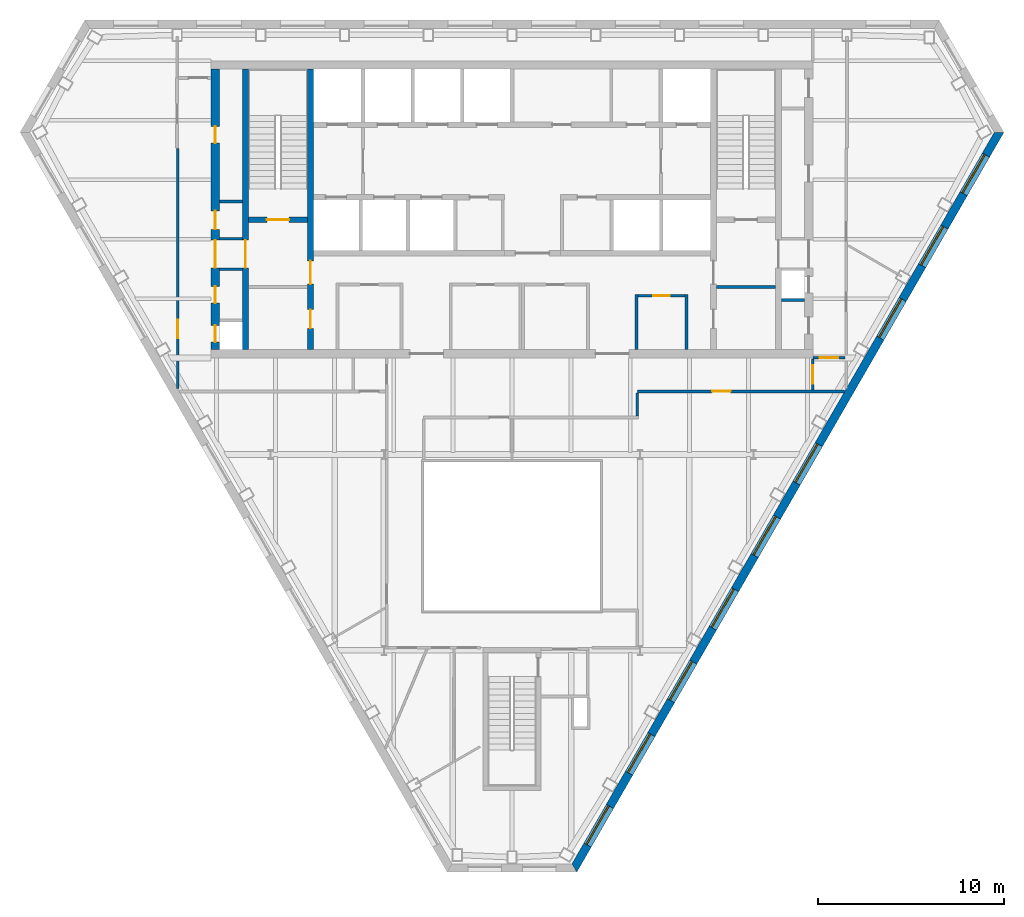
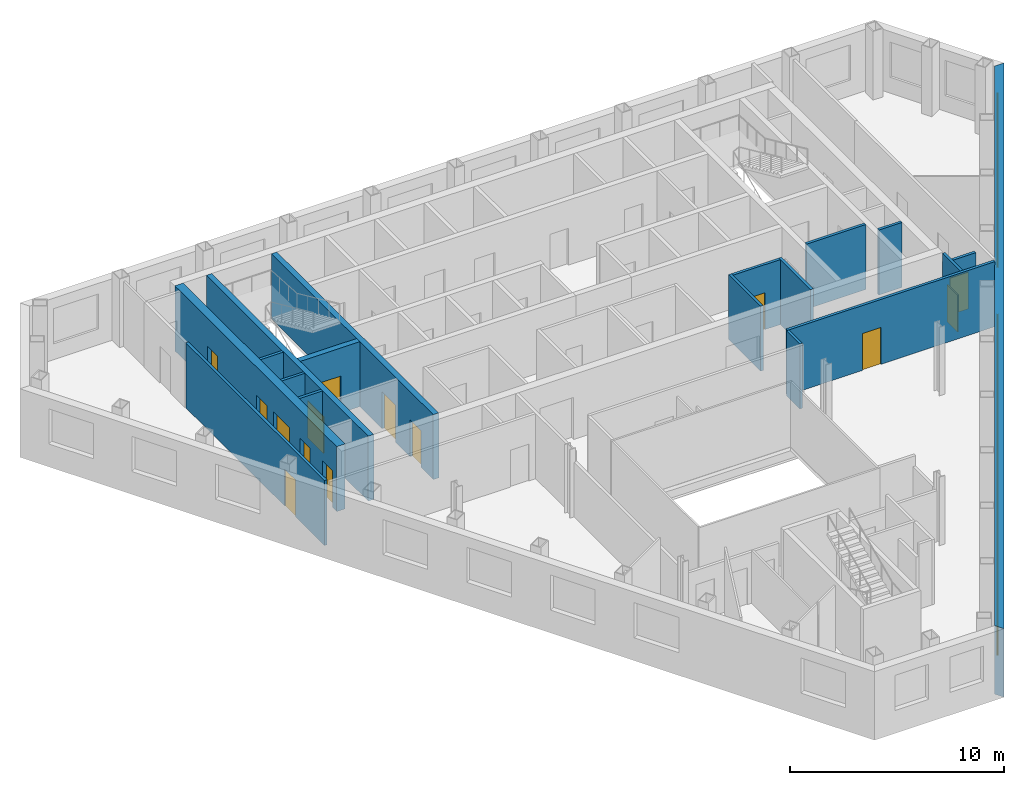
# One storey, part 5 of 11: 18 walls, 14 doors, 9 windows, 23 openings.
"""IFC4 building model written with IfcOpenShell, lengths in metres."""

from ifc_helpers import new_model, si_unit, direction, frame, frame_2d, origin, place, context, subcontext, project, spatial, polyline, rectangle, outline, extrude, material, layer, layer_set, type_object, element, fill, save


model = new_model("IFC4")

# Units and contexts
model_context = context("Model", 3, precision=1e-05, world=origin(), true_north=direction((0.0, 1.0)))
body_context = subcontext(model_context, "Body", "Model", "MODEL_VIEW")
ifc_project = project(units=[si_unit("LENGTHUNIT", "METRE"), si_unit("AREAUNIT", "SQUARE_METRE"), si_unit("VOLUMEUNIT", "CUBIC_METRE"), si_unit("PLANEANGLEUNIT", "RADIAN"), si_unit("MASSUNIT", "GRAM", prefix="KILO")], contexts=[model_context])

# Site, building, storey
site_placement = place(None, origin())
site = spatial("IfcSite", under=ifc_project, at=site_placement, CompositionType="ELEMENT")
building_placement = place(site_placement, origin())
building = spatial("IfcBuilding", under=site, at=building_placement, Name="Njiva Tower", CompositionType="ELEMENT")
storey_placement = place(building_placement, frame((0.0, 0.0, 219.9)))
storey = spatial("IfcBuildingStorey", under=building, at=storey_placement, Name="L49", CompositionType="ELEMENT", Elevation=219.9)

# Walls
ifc_material_1 = material(Name="Blockwork", Category="masonry")
ifc_layer_1 = layer(ifc_material_1, 0.15)
ifc_layer_set_1 = layer_set([ifc_layer_1], Name="Blockwork")
wall_type_1 = type_object("IfcWallType", Name="WT1 Compartment partition 150", PredefinedType="PARTITIONING", material=ifc_layer_set_1)
wall_1_placement = place(storey_placement, frame((11.0, 5.825, 0.0), z_axis=(0.0, 0.0, 1.0), x_axis=(1.0, 0.0, 0.0)))
element("IfcWall", 1, at=wall_1_placement, inside=storey, type_object=wall_type_1, Name="Room wall B", PredefinedType="PARTITIONING", context=body_context, shape_type="SweptSolid", body=[
    extrude(rectangle(XDim=3.2, YDim=0.15, at=frame_2d((1.6, 0.0))), origin(), (0.0, 0.0, 1.0), 3.7),
])
wall_2_placement = place(storey_placement, frame((-15.75, 10.4244, 0.0), z_axis=(0.0, 0.0, 1.0), x_axis=(1.0, 0.0, 0.0)))
element("IfcWall", 2, at=wall_2_placement, inside=storey, type_object=wall_type_1, Name="Partition strip W10", PredefinedType="PARTITIONING", context=body_context, shape_type="SweptSolid", body=[
    extrude(rectangle(XDim=1.25, YDim=0.15, at=frame_2d((0.625, 0.0))), origin(), (0.0, 0.0, 1.0), 3.7),
])
for number, where, z_axis, x_axis, name in (
    (3, (6.7, 2.45, 0.0), (0.0, 0.0, 1.0), (0.0, 1.0, 0.0), "Security office wall west"),
    (4, (9.4, 2.45, 0.0), (0.0, 0.0, 1.0), (0.0, 1.0, 0.0), "Security office wall east"),
):
    element("IfcWall", number, at=place(storey_placement, frame(where, z_axis=z_axis, x_axis=x_axis)), inside=storey, type_object=wall_type_1, Name=name, PredefinedType="PARTITIONING", context=body_context, shape_type="SweptSolid", body=[
        extrude(rectangle(XDim=2.975, YDim=0.15, at=frame_2d((1.4875, 0.0))), origin(), (0.0, 0.0, 1.0), 3.7),
    ])

# Wall, opening, door
wall_3_placement = place(storey_placement, frame((6.775, 5.35, 0.0), z_axis=(0.0, 0.0, 1.0), x_axis=(1.0, 0.0, 0.0)))
wall_3 = element("IfcWall", 5, at=wall_3_placement, inside=storey, type_object=wall_type_1, Name="Security office wall north", PredefinedType="PARTITIONING", context=body_context, shape_type="SweptSolid", body=[
    extrude(rectangle(XDim=2.55, YDim=0.15, at=frame_2d((1.275, 0.0))), origin(), (0.0, 0.0, 1.0), 3.7),
])
opening_1_placement = place(wall_3_placement, frame((0.825, 0.0, 0.0)))
opening_1 = element("IfcOpeningElement", 6, at=opening_1_placement, cuts=wall_3, Name="Opening S16-D936", PredefinedType="OPENING", context=body_context, shape_type="SweptSolid", body=[
    extrude(rectangle(XDim=0.9, YDim=2.1, at=frame_2d((0.45, 1.05))), frame((0.0, 0.085, 0.0), z_axis=(0.0, -1.0, 0.0), x_axis=(1.0, 0.0, 0.0)), (0.0, 0.0, 1.0), 0.17),
])
ifc_material_2 = material(Name="Steel fire door, painted", Category="steel")
door_type_1 = type_object("IfcDoorType", Name="D6 Fire-rated door 900x2100", OperationType="SINGLE_SWING_LEFT", PredefinedType="DOOR", material=ifc_material_2)
door_1_placement = place(opening_1_placement, origin())
door_1 = element("IfcDoor", 7, at=door_1_placement, inside=storey, type_object=door_type_1, Name="Security office door", OperationType="SINGLE_SWING_RIGHT", OverallHeight=2.1, OverallWidth=0.9, PredefinedType="DOOR", context=body_context, shape_type="SweptSolid", body=[
    extrude(rectangle(XDim=0.9, YDim=2.1, at=frame_2d((0.45, 1.05))), frame((0.0, 0.025, 0.0), z_axis=(0.0, -1.0, 0.0), x_axis=(1.0, 0.0, 0.0)), (0.0, 0.0, 1.0), 0.05),
])
fill(opening_1, door_1)

# Wall, openings, doors
ifc_material_3 = material(Name="Concrete C40/50", Category="concrete")
ifc_layer_2 = layer(ifc_material_3, 0.3)
ifc_layer_set_2 = layer_set([ifc_layer_2], Name="Concrete C40/50")
wall_type_2 = type_object("IfcWallType", Name="WT10 Stair enclosure wall 300", PredefinedType="SHEAR", material=ifc_layer_set_2)
wall_4_placement = place(storey_placement, frame((-10.85, 2.45, 0.0), z_axis=(0.0, 0.0, 1.0), x_axis=(0.0, 1.0, 0.0)))
wall_4 = element("IfcWall", 8, at=wall_4_placement, inside=storey, type_object=wall_type_2, Name="Stair wall west inner", PredefinedType="SHEAR", context=body_context, shape_type="SweptSolid", body=[
    extrude(rectangle(XDim=15.1, YDim=0.3, at=frame_2d((7.55, 0.0))), origin(), (0.0, 0.0, 1.0), 3.7),
])
opening_2_placement = place(wall_4_placement, frame((3.525, 0.0, 0.0)))
opening_2 = element("IfcOpeningElement", 9, at=opening_2_placement, cuts=wall_4, Name="Opening S16-D915", PredefinedType="OPENING", context=body_context, shape_type="SweptSolid", body=[
    extrude(rectangle(XDim=1.25, YDim=2.1, at=frame_2d((0.625, 1.05))), frame((0.0, 0.16, 0.0), z_axis=(0.0, -1.0, 0.0), x_axis=(1.0, 0.0, 0.0)), (0.0, 0.0, 1.0), 0.32),
])
opening_3_placement = place(wall_4_placement, frame((1.15, 0.0, 0.0)))
opening_3 = element("IfcOpeningElement", 10, at=opening_3_placement, cuts=wall_4, Name="Opening S16-D916", PredefinedType="OPENING", context=body_context, shape_type="SweptSolid", body=[
    extrude(rectangle(XDim=1.0, YDim=2.1, at=frame_2d((0.5, 1.05))), frame((0.0, 0.16, 0.0), z_axis=(0.0, -1.0, 0.0), x_axis=(1.0, 0.0, 0.0)), (0.0, 0.0, 1.0), 0.32),
])
ifc_material_4 = material(Name="Steel door, painted", Category="steel")
door_type_2 = type_object("IfcDoorType", Name="D5 Steel door 1000x2100", OperationType="SINGLE_SWING_LEFT", PredefinedType="DOOR", material=ifc_material_4)
door_2_placement = place(opening_3_placement, origin())
door_2 = element("IfcDoor", 11, at=door_2_placement, inside=storey, type_object=door_type_2, Name="First aid room door", OperationType="SINGLE_SWING_RIGHT", OverallHeight=2.1, OverallWidth=1.0, PredefinedType="DOOR", context=body_context, shape_type="SweptSolid", body=[
    extrude(rectangle(XDim=1.0, YDim=2.1, at=frame_2d((0.5, 1.05))), frame((0.0, 0.025, 0.0), z_axis=(0.0, -1.0, 0.0), x_axis=(1.0, 0.0, 0.0)), (0.0, 0.0, 1.0), 0.05),
])
fill(opening_3, door_2)
ifc_material_5 = material(Name="Glazed steel fire door", Category="steel")
door_type_3 = type_object("IfcDoorType", Name="D8 Vestibule corridor door 1250x2100 glazed", OperationType="SINGLE_SWING_LEFT", PredefinedType="DOOR", material=ifc_material_5)
door_3_placement = place(opening_2_placement, origin())
door_3 = element("IfcDoor", 12, at=door_3_placement, inside=storey, type_object=door_type_3, Name="Stair vestibule corridor door", OperationType="SINGLE_SWING_LEFT", OverallHeight=2.1, OverallWidth=1.25, PredefinedType="DOOR", context=body_context, shape_type="SweptSolid", body=[
    extrude(rectangle(XDim=1.25, YDim=2.1, at=frame_2d((0.625, 1.05))), frame((0.0, 0.025, 0.0), z_axis=(0.0, -1.0, 0.0), x_axis=(1.0, 0.0, 0.0)), (0.0, 0.0, 1.0), 0.05),
])
fill(opening_2, door_3)

# Wall, opening, door
wall_5_placement = place(storey_placement, frame((-14.35, 2.45, 0.0), z_axis=(0.0, 0.0, 1.0), x_axis=(0.0, 1.0, 0.0)))
wall_5 = element("IfcWall", 13, at=wall_5_placement, inside=storey, type_object=wall_type_2, Name="Stair wall west outer", PredefinedType="SHEAR", context=body_context, shape_type="SweptSolid", body=[
    extrude(rectangle(XDim=15.1, YDim=0.3, at=frame_2d((7.55, 0.0))), origin(), (0.0, 0.0, 1.0), 3.7),
])
opening_4_placement = place(wall_5_placement, frame((4.4, 0.0, 0.0)))
opening_4 = element("IfcOpeningElement", 14, at=opening_4_placement, cuts=wall_5, Name="Opening S16-D921", PredefinedType="OPENING", context=body_context, shape_type="SweptSolid", body=[
    extrude(rectangle(XDim=1.5, YDim=2.1, at=frame_2d((0.75, 1.05))), frame((0.0, 0.16, 0.0), z_axis=(0.0, -1.0, 0.0), x_axis=(1.0, 0.0, 0.0)), (0.0, 0.0, 1.0), 0.32),
])
door_type_4 = type_object("IfcDoorType", Name="D10 Exit door double 1500x2100 glazed", OperationType="DOUBLE_DOOR_SINGLE_SWING", PredefinedType="DOOR", material=ifc_material_5)
door_4_placement = place(opening_4_placement, origin())
door_4 = element("IfcDoor", 15, at=door_4_placement, inside=storey, type_object=door_type_4, Name="Stair A passage door", OperationType="DOUBLE_DOOR_SINGLE_SWING", OverallHeight=2.1, OverallWidth=1.5, PredefinedType="DOOR", context=body_context, shape_type="SweptSolid", body=[
    extrude(rectangle(XDim=1.5, YDim=2.1, at=frame_2d((0.75, 1.05))), frame((0.0, 0.025, 0.0), z_axis=(0.0, -1.0, 0.0), x_axis=(1.0, 0.0, 0.0)), (0.0, 0.0, 1.0), 0.05),
])
fill(opening_4, door_4)

wall_6_placement = place(storey_placement, frame((-14.2, 9.45, 0.0), z_axis=(0.0, 0.0, 1.0), x_axis=(1.0, 0.0, 0.0)))
wall_6 = element("IfcWall", 16, at=wall_6_placement, inside=storey, type_object=wall_type_2, Name="Stair A south wall", PredefinedType="SHEAR", context=body_context, shape_type="SweptSolid", body=[
    extrude(rectangle(XDim=3.2, YDim=0.3, at=frame_2d((1.6, 0.0))), origin(), (0.0, 0.0, 1.0), 3.7),
])
opening_5_placement = place(wall_6_placement, frame((1.0, 0.0, 0.0)))
opening_5 = element("IfcOpeningElement", 17, at=opening_5_placement, cuts=wall_6, Name="Opening S16-D914", PredefinedType="OPENING", context=body_context, shape_type="SweptSolid", body=[
    extrude(rectangle(XDim=1.2, YDim=2.1, at=frame_2d((0.6, 1.05))), frame((0.0, 0.16, 0.0), z_axis=(0.0, -1.0, 0.0), x_axis=(1.0, 0.0, 0.0)), (0.0, 0.0, 1.0), 0.32),
])
door_type_5 = type_object("IfcDoorType", Name="D7 Stair vestibule door 1200x2100 glazed", OperationType="SINGLE_SWING_LEFT", PredefinedType="DOOR", material=ifc_material_5)
door_5_placement = place(opening_5_placement, origin())
door_5 = element("IfcDoor", 18, at=door_5_placement, inside=storey, type_object=door_type_5, Name="Stair A door", OperationType="SINGLE_SWING_LEFT", OverallHeight=2.1, OverallWidth=1.2, PredefinedType="DOOR", context=body_context, shape_type="SweptSolid", body=[
    extrude(rectangle(XDim=1.2, YDim=2.1, at=frame_2d((0.6, 1.05))), frame((0.0, 0.025, 0.0), z_axis=(0.0, -1.0, 0.0), x_axis=(1.0, 0.0, 0.0)), (0.0, 0.0, 1.0), 0.05),
])
fill(opening_5, door_5)

# Wall, openings, doors
ifc_material_6 = material(Name="Concrete C60/75", Category="concrete")
ifc_layer_3 = layer(ifc_material_6, 0.45)
ifc_layer_set_3 = layer_set([ifc_layer_3], Name="Concrete C60/75")
wall_type_3 = type_object("IfcWallType", Name="WT12 Core wall 450", PredefinedType="SHEAR", material=ifc_layer_set_3)
wall_7_placement = place(storey_placement, frame((-15.975, 2.45, 0.0), z_axis=(0.0, 0.0, 1.0), x_axis=(0.0, 1.0, 0.0)))
wall_7 = element("IfcWall", 19, at=wall_7_placement, inside=storey, type_object=wall_type_3, Name="Core wall west", PredefinedType="SHEAR", context=body_context, shape_type="SweptSolid", body=[
    extrude(rectangle(XDim=15.1, YDim=0.45, at=frame_2d((7.55, 0.0))), origin(), (0.0, 0.0, 1.0), 3.7),
])
opening_6_placement = place(wall_7_placement, frame((4.4, 0.0, 0.0)))
opening_6 = element("IfcOpeningElement", 20, at=opening_6_placement, cuts=wall_7, Name="Opening S16-D922", PredefinedType="OPENING", context=body_context, shape_type="SweptSolid", body=[
    extrude(rectangle(XDim=1.5, YDim=2.1, at=frame_2d((0.75, 1.05))), frame((0.0, 0.235, 0.0), z_axis=(0.0, -1.0, 0.0), x_axis=(1.0, 0.0, 0.0)), (0.0, 0.0, 1.0), 0.47),
])
opening_7_placement = place(wall_7_placement, frame((0.4, 0.0, 0.0)))
opening_7 = element("IfcOpeningElement", 21, at=opening_7_placement, cuts=wall_7, Name="Opening S16-D923", PredefinedType="OPENING", context=body_context, shape_type="SweptSolid", body=[
    extrude(rectangle(XDim=0.9, YDim=2.1, at=frame_2d((0.45, 1.05))), frame((0.0, 0.235, 0.0), z_axis=(0.0, -1.0, 0.0), x_axis=(1.0, 0.0, 0.0)), (0.0, 0.0, 1.0), 0.47),
])
opening_8_placement = place(wall_7_placement, frame((2.5, 0.0, 0.0)))
opening_8 = element("IfcOpeningElement", 22, at=opening_8_placement, cuts=wall_7, Name="Opening S16-D924", PredefinedType="OPENING", context=body_context, shape_type="SweptSolid", body=[
    extrude(rectangle(XDim=0.9, YDim=2.1, at=frame_2d((0.45, 1.05))), frame((0.0, 0.235, 0.0), z_axis=(0.0, -1.0, 0.0), x_axis=(1.0, 0.0, 0.0)), (0.0, 0.0, 1.0), 0.47),
])
opening_9_placement = place(wall_7_placement, frame((6.4747, 0.0, 0.0)))
opening_9 = element("IfcOpeningElement", 23, at=opening_9_placement, cuts=wall_7, Name="Opening S16-D925", PredefinedType="OPENING", context=body_context, shape_type="SweptSolid", body=[
    extrude(rectangle(XDim=1.0, YDim=2.1, at=frame_2d((0.5, 1.05))), frame((0.0, 0.235, 0.0), z_axis=(0.0, -1.0, 0.0), x_axis=(1.0, 0.0, 0.0)), (0.0, 0.0, 1.0), 0.47),
])
opening_10_placement = place(wall_7_placement, frame((11.1247, 0.0, 0.0)))
opening_10 = element("IfcOpeningElement", 24, at=opening_10_placement, cuts=wall_7, Name="Opening S16-D926", PredefinedType="OPENING", context=body_context, shape_type="SweptSolid", body=[
    extrude(rectangle(XDim=0.9, YDim=2.1, at=frame_2d((0.45, 1.05))), frame((0.0, 0.235, 0.0), z_axis=(0.0, -1.0, 0.0), x_axis=(1.0, 0.0, 0.0)), (0.0, 0.0, 1.0), 0.47),
])
door_6_placement = place(opening_6_placement, origin())
door_6 = element("IfcDoor", 25, at=door_6_placement, inside=storey, type_object=door_type_4, Name="Stair A corridor door", OperationType="DOUBLE_DOOR_SINGLE_SWING", OverallHeight=2.1, OverallWidth=1.5, PredefinedType="DOOR", context=body_context, shape_type="SweptSolid", body=[
    extrude(rectangle(XDim=1.5, YDim=2.1, at=frame_2d((0.75, 1.05))), frame((0.0, 0.025, 0.0), z_axis=(0.0, -1.0, 0.0), x_axis=(1.0, 0.0, 0.0)), (0.0, 0.0, 1.0), 0.05),
])
fill(opening_6, door_6)
door_type_6 = type_object("IfcDoorType", Name="D4 Riser door 900x2100", OperationType="SINGLE_SWING_LEFT", PredefinedType="DOOR", material=ifc_material_4)
door_7_placement = place(opening_7_placement, origin())
door_7 = element("IfcDoor", 26, at=door_7_placement, inside=storey, type_object=door_type_6, Name="Cable riser door", OperationType="SINGLE_SWING_RIGHT", OverallHeight=2.1, OverallWidth=0.9, PredefinedType="DOOR", context=body_context, shape_type="SweptSolid", body=[
    extrude(rectangle(XDim=0.9, YDim=2.1, at=frame_2d((0.45, 1.05))), frame((0.0, 0.025, 0.0), z_axis=(0.0, -1.0, 0.0), x_axis=(1.0, 0.0, 0.0)), (0.0, 0.0, 1.0), 0.05),
])
fill(opening_7, door_7)
door_8_placement = place(opening_9_placement, origin())
door_8 = element("IfcDoor", 27, at=door_8_placement, inside=storey, type_object=door_type_2, Name="Electrical room door", OperationType="SINGLE_SWING_RIGHT", OverallHeight=2.1, OverallWidth=1.0, PredefinedType="DOOR", context=body_context, shape_type="SweptSolid", body=[
    extrude(rectangle(XDim=1.0, YDim=2.1, at=frame_2d((0.5, 1.05))), frame((0.0, 0.025, 0.0), z_axis=(0.0, -1.0, 0.0), x_axis=(1.0, 0.0, 0.0)), (0.0, 0.0, 1.0), 0.05),
])
fill(opening_9, door_8)
door_9_placement = place(opening_8_placement, origin())
door_9 = element("IfcDoor", 28, at=door_9_placement, inside=storey, type_object=door_type_1, Name="Cable store door", OperationType="SINGLE_SWING_RIGHT", OverallHeight=2.1, OverallWidth=0.9, PredefinedType="DOOR", context=body_context, shape_type="SweptSolid", body=[
    extrude(rectangle(XDim=0.9, YDim=2.1, at=frame_2d((0.45, 1.05))), frame((0.0, 0.025, 0.0), z_axis=(0.0, -1.0, 0.0), x_axis=(1.0, 0.0, 0.0)), (0.0, 0.0, 1.0), 0.05),
])
fill(opening_8, door_9)
door_10_placement = place(opening_10_placement, origin())
door_10 = element("IfcDoor", 29, at=door_10_placement, inside=storey, type_object=door_type_1, Name="Cable store door", OperationType="SINGLE_SWING_LEFT", OverallHeight=2.1, OverallWidth=0.9, PredefinedType="DOOR", context=body_context, shape_type="SweptSolid", body=[
    extrude(rectangle(XDim=0.9, YDim=2.1, at=frame_2d((0.45, 1.05))), frame((0.0, 0.025, 0.0), z_axis=(0.0, -1.0, 0.0), x_axis=(1.0, 0.0, 0.0)), (0.0, 0.0, 1.0), 0.05),
])
fill(opening_10, door_10)

# Wall, opening, door
ifc_material_7 = material(Name="Gypsum board on steel studs", Category="gypsum")
ifc_layer_4 = layer(ifc_material_7, 0.15)
ifc_layer_set_4 = layer_set([ifc_layer_4], Name="Gypsum board on steel studs")
wall_type_4 = type_object("IfcWallType", Name="WT21 Compartment wall 150", PredefinedType="PARTITIONING", material=ifc_layer_set_4)
wall_8_placement = place(storey_placement, frame((-18.001, 0.344, 0.0), z_axis=(0.0, 0.0, 1.0), x_axis=(7.732158e-05, 0.999999997011, 0.0)))
wall_8 = element("IfcWall", 30, at=wall_8_placement, inside=storey, type_object=wall_type_4, Name="Partition S16-P003", PredefinedType="PARTITIONING", context=body_context, shape_type="SweptSolid", body=[
    extrude(rectangle(XDim=12.933, YDim=0.15, at=frame_2d((6.4665, 0.0))), origin(), (0.0, 0.0, 1.0), 3.7),
])
opening_11_placement = place(wall_8_placement, frame((2.707, 0.0, 0.0)))
opening_11 = element("IfcOpeningElement", 31, at=opening_11_placement, cuts=wall_8, Name="Opening S16-D002", PredefinedType="OPENING", context=body_context, shape_type="SweptSolid", body=[
    extrude(rectangle(XDim=1.0, YDim=2.1, at=frame_2d((0.5, 1.05))), frame((0.0, 0.085, 0.0), z_axis=(0.0, -1.0, 0.0), x_axis=(1.0, 0.0, 0.0)), (0.0, 0.0, 1.0), 0.17),
])
ifc_material_8 = material(Name="Steel fire door set", Category="steel")
door_type_7 = type_object("IfcDoorType", Name="D37 Fire door 1000x2100", OperationType="SINGLE_SWING_LEFT", PredefinedType="DOOR", material=ifc_material_8)
door_11_placement = place(opening_11_placement, origin())
door_11 = element("IfcDoor", 32, at=door_11_placement, inside=storey, type_object=door_type_7, Name="Door S16-D002", OperationType="SINGLE_SWING_RIGHT", OverallHeight=2.1, OverallWidth=1.0, PredefinedType="DOOR", context=body_context, shape_type="SweptSolid", body=[
    extrude(rectangle(XDim=1.0, YDim=2.1, at=frame_2d((0.5, 1.05))), frame((0.0, 0.025, 0.0), z_axis=(0.0, -1.0, 0.0), x_axis=(1.0, 0.0, 0.0)), (0.0, 0.0, 1.0), 0.05),
])
fill(opening_11, door_11)

# Wall
wall_9_placement = place(storey_placement, frame((6.75, -1.125, 0.0), z_axis=(0.0, 0.0, 1.0), x_axis=(0.0, 1.0, 0.0)))
element("IfcWall", 33, at=wall_9_placement, inside=storey, type_object=wall_type_4, Name="Partition S16-P020", PredefinedType="PARTITIONING", context=body_context, shape_type="SweptSolid", body=[
    extrude(rectangle(XDim=1.25, YDim=0.15, at=frame_2d((0.625, 0.0))), origin(), (0.0, 0.0, 1.0), 3.7),
])

# Wall, opening, door
wall_10_placement = place(storey_placement, frame((6.75, 0.2, 0.0), z_axis=(0.0, 0.0, 1.0), x_axis=(1.0, 0.0, 0.0)))
wall_10 = element("IfcWall", 34, at=wall_10_placement, inside=storey, type_object=wall_type_4, Name="Partition S16-P021", PredefinedType="PARTITIONING", context=body_context, shape_type="SweptSolid", body=[
    extrude(rectangle(XDim=11.168, YDim=0.15, at=frame_2d((5.584, 0.0))), origin(), (0.0, 0.0, 1.0), 3.7),
])
opening_12_placement = place(wall_10_placement, frame((4.03, 0.0, 0.0)))
opening_12 = element("IfcOpeningElement", 35, at=opening_12_placement, cuts=wall_10, Name="Opening S16-D011", PredefinedType="OPENING", context=body_context, shape_type="SweptSolid", body=[
    extrude(rectangle(XDim=1.0, YDim=2.1, at=frame_2d((0.5, 1.05))), frame((0.0, 0.085, 0.0), z_axis=(0.0, -1.0, 0.0), x_axis=(1.0, 0.0, 0.0)), (0.0, 0.0, 1.0), 0.17),
])
door_12_placement = place(opening_12_placement, origin())
door_12 = element("IfcDoor", 36, at=door_12_placement, inside=storey, type_object=door_type_7, Name="Door S16-D011", OperationType="SINGLE_SWING_LEFT", OverallHeight=2.1, OverallWidth=1.0, PredefinedType="DOOR", context=body_context, shape_type="SweptSolid", body=[
    extrude(rectangle(XDim=1.0, YDim=2.1, at=frame_2d((0.5, 1.05))), frame((0.0, 0.025, 0.0), z_axis=(0.0, -1.0, 0.0), x_axis=(1.0, 0.0, 0.0)), (0.0, 0.0, 1.0), 0.05),
])
fill(opening_12, door_12)

wall_11_placement = place(storey_placement, frame((16.2, 0.275, 0.0), z_axis=(0.0, 0.0, 1.0), x_axis=(0.0, 1.0, 0.0)))
wall_11 = element("IfcWall", 37, at=wall_11_placement, inside=storey, type_object=wall_type_4, Name="Partition S16-P022", PredefinedType="PARTITIONING", context=body_context, shape_type="SweptSolid", body=[
    extrude(rectangle(XDim=1.662, YDim=0.15, at=frame_2d((0.831, 0.0))), origin(), (0.0, 0.0, 1.0), 3.7),
])
opening_13_placement = place(wall_11_placement, frame((0.331, 0.0, 0.0)))
opening_13 = element("IfcOpeningElement", 38, at=opening_13_placement, cuts=wall_11, Name="Opening S16-D012", PredefinedType="OPENING", context=body_context, shape_type="SweptSolid", body=[
    extrude(rectangle(XDim=1.0, YDim=2.1, at=frame_2d((0.5, 1.05))), frame((0.0, 0.085, 0.0), z_axis=(0.0, -1.0, 0.0), x_axis=(1.0, 0.0, 0.0)), (0.0, 0.0, 1.0), 0.17),
])
door_13_placement = place(opening_13_placement, origin())
door_13 = element("IfcDoor", 39, at=door_13_placement, inside=storey, type_object=door_type_7, Name="Door S16-D012", OperationType="SINGLE_SWING_LEFT", OverallHeight=2.1, OverallWidth=1.0, PredefinedType="DOOR", context=body_context, shape_type="SweptSolid", body=[
    extrude(rectangle(XDim=1.0, YDim=2.1, at=frame_2d((0.5, 1.05))), frame((0.0, 0.025, 0.0), z_axis=(0.0, -1.0, 0.0), x_axis=(1.0, 0.0, 0.0)), (0.0, 0.0, 1.0), 0.05),
])
fill(opening_13, door_13)

wall_12_placement = place(storey_placement, frame((16.2, 2.012, 0.0), z_axis=(0.0, 0.0, 1.0), x_axis=(1.0, 0.0, 0.0)))
wall_12 = element("IfcWall", 40, at=wall_12_placement, inside=storey, type_object=wall_type_4, Name="Partition S16-P023", PredefinedType="PARTITIONING", context=body_context, shape_type="SweptSolid", body=[
    extrude(rectangle(XDim=1.726, YDim=0.15, at=frame_2d((0.863, 0.0))), origin(), (0.0, 0.0, 1.0), 3.11),
])
opening_14_placement = place(wall_12_placement, frame((0.363, 0.0, 0.0)))
opening_14 = element("IfcOpeningElement", 41, at=opening_14_placement, cuts=wall_12, Name="Opening S16-D013", PredefinedType="OPENING", context=body_context, shape_type="SweptSolid", body=[
    extrude(rectangle(XDim=1.0, YDim=2.1, at=frame_2d((0.5, 1.05))), frame((0.0, 0.085, 0.0), z_axis=(0.0, -1.0, 0.0), x_axis=(1.0, 0.0, 0.0)), (0.0, 0.0, 1.0), 0.17),
])
door_14_placement = place(opening_14_placement, origin())
door_14 = element("IfcDoor", 42, at=door_14_placement, inside=storey, type_object=door_type_7, Name="Door S16-D013", OperationType="SINGLE_SWING_LEFT", OverallHeight=2.1, OverallWidth=1.0, PredefinedType="DOOR", context=body_context, shape_type="SweptSolid", body=[
    extrude(rectangle(XDim=1.0, YDim=2.1, at=frame_2d((0.5, 1.05))), frame((0.0, 0.025, 0.0), z_axis=(0.0, -1.0, 0.0), x_axis=(1.0, 0.0, 0.0)), (0.0, 0.0, 1.0), 0.05),
])
fill(opening_14, door_14)

# Walls
ifc_layer_5 = layer(ifc_material_1, 0.15)
ifc_layer_set_5 = layer_set([ifc_layer_5], Name="Blockwork")
wall_type_5 = type_object("IfcWallType", Name="WT3 Riser partition 150", PredefinedType="PARTITIONING", material=ifc_layer_set_5)
wall_13_placement = place(storey_placement, frame((14.5, 5.125, 0.0), z_axis=(0.0, 0.0, 1.0), x_axis=(1.0, 0.0, 0.0)))
element("IfcWall", 43, at=wall_13_placement, inside=storey, type_object=wall_type_5, Name="Partition strip E00", PredefinedType="PARTITIONING", context=body_context, shape_type="SweptSolid", body=[
    extrude(rectangle(XDim=1.25, YDim=0.15, at=frame_2d((0.625, 0.0))), origin(), (0.0, 0.0, 1.0), 3.7),
])
ifc_layer_6 = layer(ifc_material_1, 0.15)
ifc_layer_set_6 = layer_set([ifc_layer_6], Name="Blockwork")
wall_type_6 = type_object("IfcWallType", Name="WT4 Stair partition 150", PredefinedType="PARTITIONING", material=ifc_layer_set_6)
for number, where, z_axis, x_axis, name in (
    (44, (-15.75, 6.775, 0.0), (0.0, 0.0, 1.0), (1.0, 0.0, 0.0), "Stair A exit passage wall south"),
    (45, (-15.75, 8.425, 0.0), (0.0, 0.0, 1.0), (1.0, 0.0, 0.0), "Stair A exit passage wall north"),
):
    element("IfcWall", number, at=place(storey_placement, frame(where, z_axis=z_axis, x_axis=x_axis)), inside=storey, type_object=wall_type_6, Name=name, PredefinedType="PARTITIONING", context=body_context, shape_type="SweptSolid", body=[
        extrude(rectangle(XDim=1.25, YDim=0.15, at=frame_2d((0.625, 0.0))), origin(), (0.0, 0.0, 1.0), 3.7),
    ])

# Wall, openings, windows
ifc_material_9 = material(Name="Brick masonry", Category="masonry")
ifc_layer_7 = layer(ifc_material_9, 0.45)
ifc_layer_set_7 = layer_set([ifc_layer_7], Name="Brick masonry")
wall_type_7 = type_object("IfcWallType", Name="WT90 Brick pier and spandrel wall 450", PredefinedType="SOLIDWALL", material=ifc_layer_set_7)
wall_14_placement = place(storey_placement, frame((3.3601, -25.4657, -0.4), z_axis=(0.0, 0.0, 1.0), x_axis=(0.500000335318, 0.866025210188, 0.0)))
wall_14 = element("IfcWall", 46, at=wall_14_placement, inside=storey, type_object=wall_type_7, Name="Facade wall SE", PredefinedType="SOLIDWALL", context=body_context, shape_type="SweptSolid", body=[
    extrude(outline(polyline([(-0.1299, -0.225), (45.8801, -0.225), (45.6203, 0.225), (0.1299, 0.225), (-0.1299, -0.225)])), origin(), (0.0, 0.0, 1.0), 3.9),
])
opening_15_placement = place(wall_14_placement, frame((1.4247, 0.0, 1.3)))
opening_15 = element("IfcOpeningElement", 47, at=opening_15_placement, cuts=wall_14, Name="Opening S16-W22", PredefinedType="OPENING", context=body_context, shape_type="SweptSolid", body=[
    extrude(rectangle(XDim=2.4, YDim=2.0, at=frame_2d((1.2, 1.0))), frame((0.0, 0.235, 0.0), z_axis=(0.0, -1.0, 0.0), x_axis=(1.0, 0.0, 0.0)), (0.0, 0.0, 1.0), 0.47),
])
opening_16_placement = place(wall_14_placement, frame((5.8949, 0.0, 1.3)))
opening_16 = element("IfcOpeningElement", 48, at=opening_16_placement, cuts=wall_14, Name="Opening S16-W23", PredefinedType="OPENING", context=body_context, shape_type="SweptSolid", body=[
    extrude(rectangle(XDim=2.4, YDim=2.0, at=frame_2d((1.2, 1.0))), frame((0.0, 0.235, 0.0), z_axis=(0.0, -1.0, 0.0), x_axis=(1.0, 0.0, 0.0)), (0.0, 0.0, 1.0), 0.47),
])
opening_17_placement = place(wall_14_placement, frame((10.4035, 0.0, 1.3)))
opening_17 = element("IfcOpeningElement", 49, at=opening_17_placement, cuts=wall_14, Name="Opening S16-W24", PredefinedType="OPENING", context=body_context, shape_type="SweptSolid", body=[
    extrude(rectangle(XDim=2.4, YDim=2.0, at=frame_2d((1.2, 1.0))), frame((0.0, 0.235, 0.0), z_axis=(0.0, -1.0, 0.0), x_axis=(1.0, 0.0, 0.0)), (0.0, 0.0, 1.0), 0.47),
])
opening_18_placement = place(wall_14_placement, frame((14.9122, 0.0, 1.3)))
opening_18 = element("IfcOpeningElement", 50, at=opening_18_placement, cuts=wall_14, Name="Opening S16-W25", PredefinedType="OPENING", context=body_context, shape_type="SweptSolid", body=[
    extrude(rectangle(XDim=2.4, YDim=2.0, at=frame_2d((1.2, 1.0))), frame((0.0, 0.235, 0.0), z_axis=(0.0, -1.0, 0.0), x_axis=(1.0, 0.0, 0.0)), (0.0, 0.0, 1.0), 0.47),
])
opening_19_placement = place(wall_14_placement, frame((19.4208, 0.0, 1.3)))
opening_19 = element("IfcOpeningElement", 51, at=opening_19_placement, cuts=wall_14, Name="Opening S16-W26", PredefinedType="OPENING", context=body_context, shape_type="SweptSolid", body=[
    extrude(rectangle(XDim=2.4, YDim=2.0, at=frame_2d((1.2, 1.0))), frame((0.0, 0.235, 0.0), z_axis=(0.0, -1.0, 0.0), x_axis=(1.0, 0.0, 0.0)), (0.0, 0.0, 1.0), 0.47),
])
opening_20_placement = place(wall_14_placement, frame((23.9294, 0.0, 1.3)))
opening_20 = element("IfcOpeningElement", 52, at=opening_20_placement, cuts=wall_14, Name="Opening S16-W27", PredefinedType="OPENING", context=body_context, shape_type="SweptSolid", body=[
    extrude(rectangle(XDim=2.4, YDim=2.0, at=frame_2d((1.2, 1.0))), frame((0.0, 0.235, 0.0), z_axis=(0.0, -1.0, 0.0), x_axis=(1.0, 0.0, 0.0)), (0.0, 0.0, 1.0), 0.47),
])
opening_21_placement = place(wall_14_placement, frame((32.9466, 0.0, 1.3)))
opening_21 = element("IfcOpeningElement", 53, at=opening_21_placement, cuts=wall_14, Name="Opening S16-W28", PredefinedType="OPENING", context=body_context, shape_type="SweptSolid", body=[
    extrude(rectangle(XDim=2.4, YDim=2.0, at=frame_2d((1.2, 1.0))), frame((0.0, 0.235, 0.0), z_axis=(0.0, -1.0, 0.0), x_axis=(1.0, 0.0, 0.0)), (0.0, 0.0, 1.0), 0.47),
])
opening_22_placement = place(wall_14_placement, frame((37.4553, 0.0, 1.3)))
opening_22 = element("IfcOpeningElement", 54, at=opening_22_placement, cuts=wall_14, Name="Opening S16-W29", PredefinedType="OPENING", context=body_context, shape_type="SweptSolid", body=[
    extrude(rectangle(XDim=2.4, YDim=2.0, at=frame_2d((1.2, 1.0))), frame((0.0, 0.235, 0.0), z_axis=(0.0, -1.0, 0.0), x_axis=(1.0, 0.0, 0.0)), (0.0, 0.0, 1.0), 0.47),
])
opening_23_placement = place(wall_14_placement, frame((41.9255, 0.0, 1.3)))
opening_23 = element("IfcOpeningElement", 55, at=opening_23_placement, cuts=wall_14, Name="Opening S16-W30", PredefinedType="OPENING", context=body_context, shape_type="SweptSolid", body=[
    extrude(rectangle(XDim=2.4, YDim=2.0, at=frame_2d((1.2, 1.0))), frame((0.0, 0.235, 0.0), z_axis=(0.0, -1.0, 0.0), x_axis=(1.0, 0.0, 0.0)), (0.0, 0.0, 1.0), 0.47),
])
ifc_material_10 = material(Name="Clear glazing in aluminium frame", Category="aluminium")
window_type = type_object("IfcWindowType", Name="W90 Deep-set window 2400x2000", PartitioningType="SINGLE_PANEL", PredefinedType="WINDOW", material=ifc_material_10)
window_1_placement = place(opening_15_placement, origin())
window_1 = element("IfcWindow", 56, at=window_1_placement, inside=storey, type_object=window_type, Name="Window", OverallHeight=2.0, OverallWidth=2.4, PartitioningType="SINGLE_PANEL", PredefinedType="WINDOW", context=body_context, shape_type="SweptSolid", body=[
    extrude(rectangle(XDim=2.4, YDim=2.0, at=frame_2d((1.2, 1.0))), frame((0.0, 0.105, 0.0), z_axis=(0.0, -1.0, 0.0), x_axis=(1.0, 0.0, 0.0)), (0.0, 0.0, 1.0), 0.06),
])
fill(opening_15, window_1)
window_2_placement = place(opening_16_placement, origin())
window_2 = element("IfcWindow", 57, at=window_2_placement, inside=storey, type_object=window_type, Name="Window", OverallHeight=2.0, OverallWidth=2.4, PartitioningType="SINGLE_PANEL", PredefinedType="WINDOW", context=body_context, shape_type="SweptSolid", body=[
    extrude(rectangle(XDim=2.4, YDim=2.0, at=frame_2d((1.2, 1.0))), frame((0.0, 0.105, 0.0), z_axis=(0.0, -1.0, 0.0), x_axis=(1.0, 0.0, 0.0)), (0.0, 0.0, 1.0), 0.06),
])
fill(opening_16, window_2)
window_3_placement = place(opening_17_placement, origin())
window_3 = element("IfcWindow", 58, at=window_3_placement, inside=storey, type_object=window_type, Name="Window", OverallHeight=2.0, OverallWidth=2.4, PartitioningType="SINGLE_PANEL", PredefinedType="WINDOW", context=body_context, shape_type="SweptSolid", body=[
    extrude(rectangle(XDim=2.4, YDim=2.0, at=frame_2d((1.2, 1.0))), frame((0.0, 0.105, 0.0), z_axis=(0.0, -1.0, 0.0), x_axis=(1.0, 0.0, 0.0)), (0.0, 0.0, 1.0), 0.06),
])
fill(opening_17, window_3)
window_4_placement = place(opening_18_placement, origin())
window_4 = element("IfcWindow", 59, at=window_4_placement, inside=storey, type_object=window_type, Name="Window", OverallHeight=2.0, OverallWidth=2.4, PartitioningType="SINGLE_PANEL", PredefinedType="WINDOW", context=body_context, shape_type="SweptSolid", body=[
    extrude(rectangle(XDim=2.4, YDim=2.0, at=frame_2d((1.2, 1.0))), frame((0.0, 0.105, 0.0), z_axis=(0.0, -1.0, 0.0), x_axis=(1.0, 0.0, 0.0)), (0.0, 0.0, 1.0), 0.06),
])
fill(opening_18, window_4)
window_5_placement = place(opening_19_placement, origin())
window_5 = element("IfcWindow", 60, at=window_5_placement, inside=storey, type_object=window_type, Name="Window", OverallHeight=2.0, OverallWidth=2.4, PartitioningType="SINGLE_PANEL", PredefinedType="WINDOW", context=body_context, shape_type="SweptSolid", body=[
    extrude(rectangle(XDim=2.4, YDim=2.0, at=frame_2d((1.2, 1.0))), frame((0.0, 0.105, 0.0), z_axis=(0.0, -1.0, 0.0), x_axis=(1.0, 0.0, 0.0)), (0.0, 0.0, 1.0), 0.06),
])
fill(opening_19, window_5)
window_6_placement = place(opening_20_placement, origin())
window_6 = element("IfcWindow", 61, at=window_6_placement, inside=storey, type_object=window_type, Name="Window", OverallHeight=2.0, OverallWidth=2.4, PartitioningType="SINGLE_PANEL", PredefinedType="WINDOW", context=body_context, shape_type="SweptSolid", body=[
    extrude(rectangle(XDim=2.4, YDim=2.0, at=frame_2d((1.2, 1.0))), frame((0.0, 0.105, 0.0), z_axis=(0.0, -1.0, 0.0), x_axis=(1.0, 0.0, 0.0)), (0.0, 0.0, 1.0), 0.06),
])
fill(opening_20, window_6)
window_7_placement = place(opening_21_placement, origin())
window_7 = element("IfcWindow", 62, at=window_7_placement, inside=storey, type_object=window_type, Name="Window", OverallHeight=2.0, OverallWidth=2.4, PartitioningType="SINGLE_PANEL", PredefinedType="WINDOW", context=body_context, shape_type="SweptSolid", body=[
    extrude(rectangle(XDim=2.4, YDim=2.0, at=frame_2d((1.2, 1.0))), frame((0.0, 0.105, 0.0), z_axis=(0.0, -1.0, 0.0), x_axis=(1.0, 0.0, 0.0)), (0.0, 0.0, 1.0), 0.06),
])
fill(opening_21, window_7)
window_8_placement = place(opening_22_placement, origin())
window_8 = element("IfcWindow", 63, at=window_8_placement, inside=storey, type_object=window_type, Name="Window", OverallHeight=2.0, OverallWidth=2.4, PartitioningType="SINGLE_PANEL", PredefinedType="WINDOW", context=body_context, shape_type="SweptSolid", body=[
    extrude(rectangle(XDim=2.4, YDim=2.0, at=frame_2d((1.2, 1.0))), frame((0.0, 0.105, 0.0), z_axis=(0.0, -1.0, 0.0), x_axis=(1.0, 0.0, 0.0)), (0.0, 0.0, 1.0), 0.06),
])
fill(opening_22, window_8)
window_9_placement = place(opening_23_placement, origin())
window_9 = element("IfcWindow", 64, at=window_9_placement, inside=storey, type_object=window_type, Name="Window", OverallHeight=2.0, OverallWidth=2.4, PartitioningType="SINGLE_PANEL", PredefinedType="WINDOW", context=body_context, shape_type="SweptSolid", body=[
    extrude(rectangle(XDim=2.4, YDim=2.0, at=frame_2d((1.2, 1.0))), frame((0.0, 0.105, 0.0), z_axis=(0.0, -1.0, 0.0), x_axis=(1.0, 0.0, 0.0)), (0.0, 0.0, 1.0), 0.06),
])
fill(opening_23, window_9)

save(model, "model.ifc")
